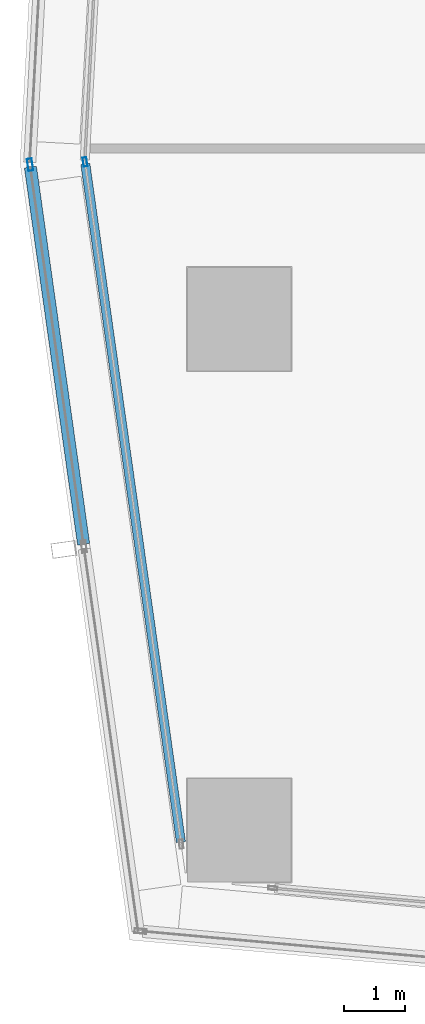
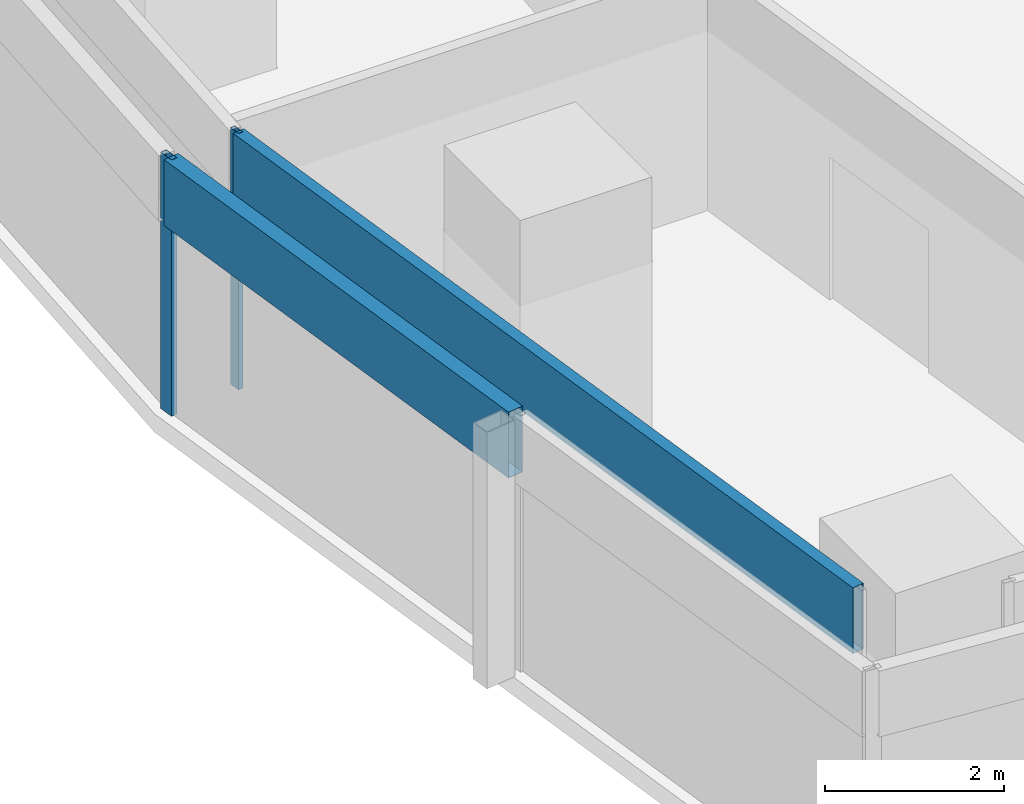
# One storey, part 4 of 40: 4 members, 2 elements without a shape of their own.
"""IFC4 building model written with IfcOpenShell, lengths in metres."""

from ifc_helpers import new_model, si_unit, direction, frame, origin, origin_2d, place, context, subcontext, project, spatial, hollow_rectangle, extrude, material, material_profile, profile_set, type_object, element, aggregate, save


model = new_model("IFC4")

# Units and contexts
model_context = context("Model", 3, precision=1e-05, world=origin(), true_north=direction((0.0, 1.0)))
body_context = subcontext(model_context, "Body", "Model", "MODEL_VIEW")
ifc_project = project(units=[si_unit("LENGTHUNIT", "METRE"), si_unit("AREAUNIT", "SQUARE_METRE"), si_unit("VOLUMEUNIT", "CUBIC_METRE"), si_unit("PLANEANGLEUNIT", "RADIAN"), si_unit("MASSUNIT", "GRAM", prefix="KILO")], contexts=[model_context])

# Site, building, storey
site_placement = place(None, origin())
site = spatial("IfcSite", under=ifc_project, at=site_placement, CompositionType="ELEMENT")
building_placement = place(site_placement, origin())
building = spatial("IfcBuilding", under=site, at=building_placement, Name="Rekha Terrace Tower", CompositionType="ELEMENT")
storey_placement = place(building_placement, frame((0.0, 0.0, 99.050048828125)))
storey = spatial("IfcBuildingStorey", under=building, at=storey_placement, Name="L24", CompositionType="ELEMENT", Elevation=99.050048828125)

# Curtain wall, members
ifc_material_1 = material(Name="Aluminium framing", Category="aluminium")
curtain_wall_type_1 = type_object("IfcCurtainWallType", Name="CW1 double skin inner glazing", PredefinedType="USERDEFINED", material=ifc_material_1)
curtain_wall_1_placement = place(storey_placement, origin())
curtain_wall_1 = element("IfcCurtainWall", 1, at=curtain_wall_1_placement, inside=storey, type_object=curtain_wall_type_1, Name="CW1 double skin inner glazing", ObjectType="DOUBLE SKIN INNER GLAZING", PredefinedType="USERDEFINED")
ifc_material_2 = material(Name="Aluminium mullion section", Category="aluminium")
ifc_material_profile_1 = material_profile(ifc_material_2, hollow_rectangle(XDim=0.06494140625, YDim=0.14990234375, WallThickness=0.00390625, at=origin_2d()), Name="AL RHS 65x150")
ifc_profile_set_1 = profile_set([ifc_material_profile_1], Name="Aluminium mullion section")
member_type_1 = type_object("IfcMemberType", Name="CW1 mullion RHS 65 x 150", PredefinedType="MULLION", material=ifc_profile_set_1)
member_1_placement = place(storey_placement, frame((5.86865234375, 27.78125, 0.0), z_axis=(0.0, 0.0, 1.0), x_axis=(0.990208394312, 0.139597048082, 0.0)))
member_1 = element("IfcMember", 2, at=member_1_placement, type_object=member_type_1, Name="CW1 mullion 1", PredefinedType="MULLION", context=body_context, shape_type="SweptSolid", body=[
    extrude(hollow_rectangle(XDim=0.06494140625, YDim=0.14990234375, WallThickness=0.00390625, at=origin_2d()), origin(), (0.0, 0.0, 1.0), 3.5),
])
ifc_material_3 = material(Name="Insulated aluminium spandrel box", Category="aluminium")
ifc_material_profile_2 = material_profile(ifc_material_3, hollow_rectangle(XDim=0.14990234375, YDim=0.89990234375, WallThickness=0.0029296875, at=origin_2d()), Name="AL SPANDREL BOX 150x900")
ifc_profile_set_2 = profile_set([ifc_material_profile_2], Name="Insulated aluminium spandrel box")
member_type_2 = type_object("IfcMemberType", Name="CW1 spandrel transom 150 x 900", PredefinedType="USERDEFINED", material=ifc_profile_set_2)
member_2_placement = place(storey_placement, frame((5.873046875, 27.7490234375, 3.050048828125), z_axis=(0.139607844155, -0.99020687225, 0.0), x_axis=(0.99020687225, 0.139607844155, 0.0)))
member_2 = element("IfcMember", 3, at=member_2_placement, type_object=member_type_2, Name="CW1 spandrel transom 1", ObjectType="TRANSOM", PredefinedType="USERDEFINED", context=body_context, shape_type="SweptSolid", body=[
    extrude(hollow_rectangle(XDim=0.14990234375, YDim=0.89990234375, WallThickness=0.0029296875, at=origin_2d()), origin(), (0.0, 0.0, 1.0), 11.253173828125),
])
aggregate(curtain_wall_1, [member_1, member_2])

curtain_wall_type_2 = type_object("IfcCurtainWallType", Name="CW2 double skin outer glazing", PredefinedType="USERDEFINED", material=ifc_material_1)
curtain_wall_2_placement = place(storey_placement, origin())
curtain_wall_2 = element("IfcCurtainWall", 4, at=curtain_wall_2_placement, inside=storey, type_object=curtain_wall_type_2, Name="CW2 double skin outer glazing", ObjectType="DOUBLE SKIN OUTER GLAZING", PredefinedType="USERDEFINED")
ifc_material_profile_3 = material_profile(ifc_material_2, hollow_rectangle(XDim=0.080078125, YDim=0.199951171875, WallThickness=0.00390625, at=origin_2d()), Name="AL RHS 80x200")
ifc_profile_set_3 = profile_set([ifc_material_profile_3], Name="Aluminium mullion section")
member_type_3 = type_object("IfcMemberType", Name="CW2 mullion RHS 80 x 200", PredefinedType="MULLION", material=ifc_profile_set_3)
member_3_placement = place(storey_placement, frame((4.96630859375, 27.7353515625, 0.0), z_axis=(0.0, 0.0, 1.0), x_axis=(0.990208394312, 0.139597048082, 0.0)))
member_3 = element("IfcMember", 5, at=member_3_placement, type_object=member_type_3, Name="CW2 mullion 1", PredefinedType="MULLION", context=body_context, shape_type="SweptSolid", body=[
    extrude(hollow_rectangle(XDim=0.080078125, YDim=0.199951171875, WallThickness=0.00390625, at=origin_2d()), origin(), (0.0, 0.0, 1.0), 3.5),
])
ifc_material_profile_4 = material_profile(ifc_material_3, hollow_rectangle(XDim=0.199951171875, YDim=0.89990234375, WallThickness=0.0029296875, at=origin_2d()), Name="AL SPANDREL BOX 200x900")
ifc_profile_set_4 = profile_set([ifc_material_profile_4], Name="Insulated aluminium spandrel box")
member_type_4 = type_object("IfcMemberType", Name="CW2 spandrel transom 200 x 900", PredefinedType="USERDEFINED", material=ifc_profile_set_4)
member_4_placement = place(storey_placement, frame((4.9716796875, 27.695556640625, 3.050048828125), z_axis=(0.139596256865, -0.990208505856, 0.0), x_axis=(0.990208505856, 0.139596256865, 0.0)))
member_4 = element("IfcMember", 6, at=member_4_placement, type_object=member_type_4, Name="CW2 spandrel transom 1", ObjectType="TRANSOM", PredefinedType="USERDEFINED", context=body_context, shape_type="SweptSolid", body=[
    extrude(hollow_rectangle(XDim=0.199951171875, YDim=0.89990234375, WallThickness=0.0029296875, at=origin_2d()), origin(), (0.0, 0.0, 1.0), 6.255859375),
])
aggregate(curtain_wall_2, [member_3, member_4])

save(model, "model.ifc")
